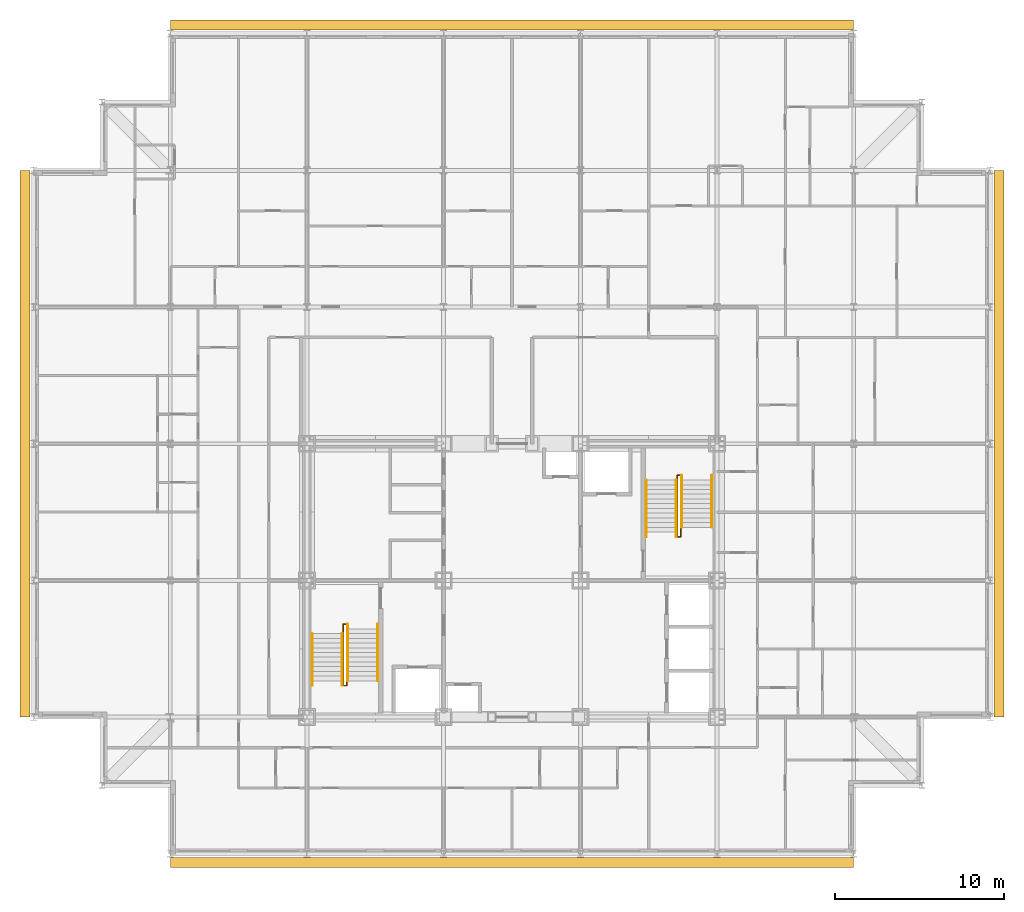
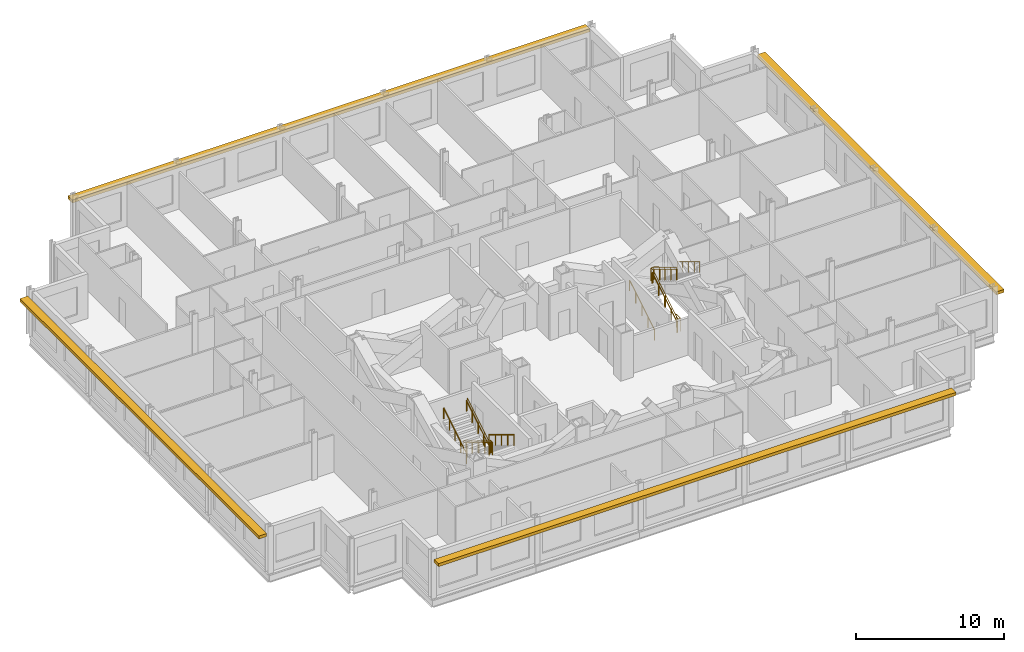
# One storey, part 15 of 15: 10 railings, 4 shading devices.
"""IFC4 building model written with IfcOpenShell, lengths in metres."""

import ifcopenshell
import ifcopenshell.guid

model = None  # the IFC model being written
_history = None  # IfcOwnerHistory: only IFC2X3 demands one
_inside = {}  # id of a spatial element -> (the spatial element, [elements in it])
_under = {}  # id of a project, library or spatial element -> (it, [spatial elements below it])
_declared = {}  # id of a project -> (the project, [libraries it declares])
_typed = {}  # id of a type object -> (the type object, [elements of that type])
_made_of = {}  # id of a material, layer set ... -> (it, [elements and type objects made of it])


def new_model(schema):
    """Start an empty IFC model of exactly this schema.

    Asked for "IFC4X3", IfcOpenShell would pick the latest addendum, in which some entities
    have other attributes; the version numbers below select the first issue.
    IFC2X3 requires an IfcOwnerHistory on every rooted entity: one is made here for all.
    """
    global model, _history
    if schema == "IFC4X3":
        model = ifcopenshell.file(schema_version=(4, 3, 0, 0))
    else:
        model = ifcopenshell.file(schema=schema)
    _inside.clear()
    _under.clear()
    _declared.clear()
    _typed.clear()
    _made_of.clear()
    _history = None
    if model.schema == "IFC2X3":
        org = make("IfcOrganization", Name="unknown")
        user = make(
            "IfcPersonAndOrganization",
            ThePerson=make("IfcPerson", FamilyName="unknown"),
            TheOrganization=org,
        )
        app = make(
            "IfcApplication",
            ApplicationDeveloper=org,
            Version="unknown",
            ApplicationFullName="unknown",
            ApplicationIdentifier="unknown",
        )
        _history = make(
            "IfcOwnerHistory",
            OwningUser=user,
            OwningApplication=app,
            ChangeAction="ADDED",
            CreationDate=0,
        )
    return model


def make(cls, **values):
    """One entity of the class cls with the attributes given. An attribute that is None is left unset."""
    return model.create_entity(
        cls, **{name: value for name, value in values.items() if value is not None}
    )


def rooted(cls, **values):
    """An entity with a GlobalId (a new one), such as an element, a storey or a relation."""
    return make(cls, GlobalId=ifcopenshell.guid.new(), OwnerHistory=_history, **values)


def si_unit(unit_type, name, prefix=None):
    """IfcSIUnit, for example si_unit("LENGTHUNIT", "METRE", prefix="MILLI")."""
    return make("IfcSIUnit", UnitType=unit_type, Prefix=prefix, Name=name)


def assignment(units):
    """IfcUnitAssignment: the units of a project."""
    return None if units is None else make("IfcUnitAssignment", Units=units)


def point(xyz):
    """IfcCartesianPoint."""
    return None if xyz is None else make("IfcCartesianPoint", Coordinates=xyz)


def direction(xyz):
    """IfcDirection."""
    return None if xyz is None else make("IfcDirection", DirectionRatios=xyz)


def frame(location, z_axis=None, x_axis=None):
    """IfcAxis2Placement3D, a coordinate frame: its origin and axes. An axis left out is left unset."""
    return make(
        "IfcAxis2Placement3D",
        Location=point(location),
        Axis=direction(z_axis),
        RefDirection=direction(x_axis),
    )


def frame_2d(location, x_axis=None):
    """IfcAxis2Placement2D, a coordinate frame in the plane: its origin and x axis."""
    return make(
        "IfcAxis2Placement2D", Location=point(location), RefDirection=direction(x_axis)
    )


def origin():
    """The frame at (0, 0, 0) with its axes left unset."""
    return frame((0.0, 0.0, 0.0))


def origin_2d():
    """The frame at (0, 0) in the plane with its x axis left unset."""
    return frame_2d((0.0, 0.0))


def place(relative_to, where):
    """IfcLocalPlacement: puts the frame where relative to a parent placement (None: the world)."""
    return make(
        "IfcLocalPlacement", PlacementRelTo=relative_to, RelativePlacement=where
    )


def context(
    kind, dimensions, precision=None, world=None, true_north=None, identifier=None
):
    """IfcGeometricRepresentationContext, for example the 3D "Model" context."""
    return make(
        "IfcGeometricRepresentationContext",
        ContextIdentifier=identifier,
        ContextType=kind,
        CoordinateSpaceDimension=dimensions,
        Precision=precision,
        WorldCoordinateSystem=world,
        TrueNorth=true_north,
    )


def subcontext(parent, identifier, kind, view, scale=None):
    """IfcGeometricRepresentationSubContext, for example "Body" below "Model"."""
    return make(
        "IfcGeometricRepresentationSubContext",
        ContextIdentifier=identifier,
        ContextType=kind,
        ParentContext=parent,
        TargetScale=scale,
        TargetView=view,
    )


def project(units=None, contexts=None):
    """IfcProject with its units and contexts."""
    return rooted(
        "IfcProject",
        Name="project",
        RepresentationContexts=contexts,
        UnitsInContext=assignment(units),
    )


def spatial(cls, under=None, at=None, **own):
    """A site, building, storey or space (cls), placed at a placement, below another one or the project."""
    s = rooted(cls, ObjectPlacement=at, **own)
    if under is not None:
        _under.setdefault(under.id(), (under, []))[1].append(s)
    return s


def profile(cls, at=None, kind="AREA", **sizes):
    """A parametric profile (cls). Its sizes go by their IFC names, for example OverallWidth=200.0."""
    return make(cls, ProfileType=kind, Position=at, **sizes)


def rectangle(**sizes):
    """IfcRectangleProfileDef."""
    return profile("IfcRectangleProfileDef", **sizes)


def circle(**sizes):
    """IfcCircleProfileDef."""
    return profile("IfcCircleProfileDef", **sizes)


def extrude(swept, where, along, depth):
    """IfcExtrudedAreaSolid: the profile swept, set in the frame where, extruded along a direction by depth."""
    return make(
        "IfcExtrudedAreaSolid",
        SweptArea=swept,
        Position=where,
        ExtrudedDirection=direction(along),
        Depth=depth,
    )


def shape(context_of_items, identifier, shape_type, items):
    """IfcShapeRepresentation: the items that make up one representation, for example the "Body"."""
    return make(
        "IfcShapeRepresentation",
        ContextOfItems=context_of_items,
        RepresentationIdentifier=identifier,
        RepresentationType=shape_type,
        Items=items,
    )


def material(Name=None, Category=None):
    """IfcMaterial."""
    return make("IfcMaterial", Name=Name, Category=Category)


def made_of(thing, what):
    """Note that an element or type object is made of a material, layer set ...; save() writes the relation."""
    if what is not None:
        _made_of.setdefault(what.id(), (what, []))[1].append(thing)
    return thing


def type_object(cls, material=None, **own):
    """A type object (cls), such as IfcWallType, which elements share."""
    return made_of(rooted(cls, **own), material)


def element(
    cls,
    number,
    at=None,
    inside=None,
    cuts=None,
    type_object=None,
    material=None,
    context=None,
    identifier="Body",
    shape_type=None,
    held_by="IfcProductDefinitionShape",
    body=None,
    shapes=None,
    **own,
):
    """One element of the class cls, such as IfcWall. Its Tag is "e" and its number.

    at: its placement. inside: the storey or other place that contains it. cuts: it is an
    opening in that element (IfcRelVoidsElement). A single representation is given by context,
    identifier, shape_type and body (its items); several are given by shapes. held_by: the class
    of the entity that holds the representations. save() writes the other relations.
    """
    e = rooted(cls, Tag="e%d" % number, ObjectPlacement=at, **own)
    if body is not None:
        shapes = [shape(context, identifier, shape_type, body)]
    if shapes is not None:
        e.Representation = make(held_by, Representations=shapes)
    if inside is not None:
        _inside.setdefault(inside.id(), (inside, []))[1].append(e)
    if cuts is not None:
        rooted(
            "IfcRelVoidsElement", RelatingBuildingElement=cuts, RelatedOpeningElement=e
        )
    if type_object is not None:
        _typed.setdefault(type_object.id(), (type_object, []))[1].append(e)
    return made_of(e, material)


def aggregate(whole, parts):
    """IfcRelAggregates: a whole, such as a stair, and the parts it consists of."""
    return rooted("IfcRelAggregates", RelatingObject=whole, RelatedObjects=parts)


def save(model, path):
    """Write the relations noted so far, then the file.

    IfcRelAggregates (storeys below a building ...), IfcRelContainedInSpatialStructure (elements
    in a storey), IfcRelDefinesByType, IfcRelAssociatesMaterial and IfcRelDeclares: one each for
    every whole, place, type object, material and project.
    """
    for whole, parts in _under.values():
        aggregate(whole, parts)
    for where, things in _inside.values():
        rooted(
            "IfcRelContainedInSpatialStructure",
            RelatedElements=things,
            RelatingStructure=where,
        )
    for kind, things in _typed.values():
        rooted("IfcRelDefinesByType", RelatedObjects=things, RelatingType=kind)
    for what, things in _made_of.values():
        rooted("IfcRelAssociatesMaterial", RelatedObjects=things, RelatingMaterial=what)
    for by, libraries in _declared.values():
        rooted("IfcRelDeclares", RelatingContext=by, RelatedDefinitions=libraries)
    model.write(path)


model = new_model("IFC4")

# Units and contexts
model_context = context("Model", 3, precision=1e-05, world=origin(), true_north=direction((0.0, 1.0)))
body_context = subcontext(model_context, "Body", "Model", "MODEL_VIEW")
ifc_project = project(units=[si_unit("LENGTHUNIT", "METRE"), si_unit("AREAUNIT", "SQUARE_METRE"), si_unit("VOLUMEUNIT", "CUBIC_METRE"), si_unit("PLANEANGLEUNIT", "RADIAN"), si_unit("MASSUNIT", "GRAM", prefix="KILO")], contexts=[model_context])

# Site, building, storey
site_placement = place(None, origin())
site = spatial("IfcSite", under=ifc_project, at=site_placement, CompositionType="ELEMENT")
building_placement = place(site_placement, origin())
building = spatial("IfcBuilding", under=site, at=building_placement, Name="Kopane Lantern Tower", CompositionType="ELEMENT")
storey_placement = place(building_placement, frame((0.0, 0.0, 281.39990234375)))
storey = spatial("IfcBuildingStorey", under=building, at=storey_placement, Name="L72", CompositionType="ELEMENT", Elevation=281.39990234375)

# Railings
ifc_material_1 = material(Name="Steel", Category="steel")
railing_type_1 = type_object("IfcRailingType", Name="STAIR GUARD 1100", PredefinedType="GUARDRAIL", material=ifc_material_1)
railing_1_placement = place(storey_placement, frame((18.35009765625, 29.25, 0.0)))
element("IfcRailing", 1, at=railing_1_placement, inside=storey, type_object=railing_type_1, Name="ST1 well guard L72", PredefinedType="GUARDRAIL", context=body_context, shape_type="SweptSolid", body=[
    extrude(circle(Radius=0.02392578125, at=origin_2d()), frame((0.0, 0.0, 1.076171875), z_axis=(0.0, 1.0, 0.0), x_axis=(-1.0, 0.0, 0.0)), (0.0, 0.0, 1.0), 0.56005859375),
    extrude(circle(Radius=0.02392578125, at=origin_2d()), frame((0.0, 0.56005859375, 1.076171875), z_axis=(1.0, 0.0, 0.0), x_axis=(0.0, 1.0, 0.0)), (0.0, 0.0, 1.0), 0.199951171875),
    extrude(circle(Radius=0.02392578125, at=origin_2d()), frame((0.199951171875, 0.56005859375, 1.076171875), z_axis=(0.0, -0.855368916264, 0.518019321155), x_axis=(1.0, 0.0, 0.0)), (0.0, 0.0, 1.0), 3.92822265625),
    extrude(circle(Radius=0.02392578125, at=origin_2d()), frame((0.199951171875, -2.800048828125, 3.11083984375), z_axis=(0.0, -1.0, 0.0), x_axis=(1.0, 0.0, 0.0)), (0.0, 0.0, 1.0), 0.280029296875),
    extrude(circle(Radius=0.02392578125, at=origin_2d()), frame((0.199951171875, -3.080078125, 3.11083984375), z_axis=(-1.0, 0.0, 0.0), x_axis=(0.0, -1.0, 0.0)), (0.0, 0.0, 1.0), 0.199951171875),
    extrude(circle(Radius=0.02392578125, at=origin_2d()), frame((0.0, -3.080078125, 3.11083984375), z_axis=(0.0, 0.855379917629, 0.518001154937), x_axis=(-1.0, 0.0, 0.0)), (0.0, 0.0, 1.0), 3.600830078125),
    extrude(circle(Radius=0.02099609375, at=origin_2d()), origin(), (0.0, 0.0, 1.0), 1.052001953125),
    extrude(circle(Radius=0.02099609375, at=origin_2d()), frame((0.0, 0.56005859375, 0.0)), (0.0, 0.0, 1.0), 1.052001953125),
    extrude(circle(Radius=0.02099609375, at=origin_2d()), frame((0.199951171875, 0.56005859375, 0.0)), (0.0, 0.0, 1.0), 1.052001953125),
    extrude(circle(Radius=0.02099609375, at=origin_2d()), frame((0.199951171875, -0.280029296875, 0.5087890625)), (0.0, 0.0, 1.0), 1.052001953125),
    extrude(circle(Radius=0.02099609375, at=origin_2d()), frame((0.199951171875, -1.1201171875, 1.017578125)), (0.0, 0.0, 1.0), 1.052001953125),
    extrude(circle(Radius=0.02099609375, at=origin_2d()), frame((0.199951171875, -1.9599609375, 1.526123046875)), (0.0, 0.0, 1.0), 1.052001953125),
    extrude(circle(Radius=0.02099609375, at=origin_2d()), frame((0.199951171875, -2.800048828125, 2.034912109375)), (0.0, 0.0, 1.0), 1.052001953125),
    extrude(circle(Radius=0.02099609375, at=origin_2d()), frame((0.199951171875, -3.080078125, 2.034912109375)), (0.0, 0.0, 1.0), 1.052001953125),
    extrude(circle(Radius=0.02099609375, at=origin_2d()), frame((0.0, -3.080078125, 2.034912109375)), (0.0, 0.0, 1.0), 1.052001953125),
    extrude(circle(Radius=0.02099609375, at=origin_2d()), frame((0.0, -2.31005859375, 2.501220703125)), (0.0, 0.0, 1.0), 1.052001953125),
    extrude(circle(Radius=0.02099609375, at=origin_2d()), frame((0.0, -1.5400390625, 2.967529296875)), (0.0, 0.0, 1.0), 1.052001953125),
    extrude(circle(Radius=0.02099609375, at=origin_2d()), frame((0.0, -0.77001953125, 3.433837890625)), (0.0, 0.0, 1.0), 1.052001953125),
    extrude(circle(Radius=0.02099609375, at=origin_2d()), frame((0.0, 0.0, 3.900146484375)), (0.0, 0.0, 1.0), 1.052001953125),
])
railing_2_placement = place(storey_placement, frame((38.35009765625, 35.550048828125, 0.0)))
element("IfcRailing", 2, at=railing_2_placement, inside=storey, type_object=railing_type_1, Name="ST2 well guard L72", PredefinedType="GUARDRAIL", context=body_context, shape_type="SweptSolid", body=[
    extrude(circle(Radius=0.02392578125, at=origin_2d()), frame((0.0, 0.0, 1.076171875), z_axis=(0.0, -1.0, 0.0), x_axis=(1.0, 0.0, 0.0)), (0.0, 0.0, 1.0), 0.56005859375),
    extrude(circle(Radius=0.02392578125, at=origin_2d()), frame((0.0, -0.56005859375, 1.076171875), z_axis=(-1.0, 0.0, 0.0), x_axis=(0.0, -1.0, 0.0)), (0.0, 0.0, 1.0), 0.2001953125),
    extrude(circle(Radius=0.02392578125, at=origin_2d()), frame((-0.2001953125, -0.56005859375, 1.076171875), z_axis=(0.0, 0.855368916264, 0.518019321155), x_axis=(-1.0, 0.0, 0.0)), (0.0, 0.0, 1.0), 3.92822265625),
    extrude(circle(Radius=0.02392578125, at=origin_2d()), frame((-0.2001953125, 2.800048828125, 3.11083984375), z_axis=(0.0, 1.0, 0.0), x_axis=(-1.0, 0.0, 0.0)), (0.0, 0.0, 1.0), 0.27978515625),
    extrude(circle(Radius=0.02392578125, at=origin_2d()), frame((-0.2001953125, 3.079833984375, 3.11083984375), z_axis=(1.0, 0.0, 0.0), x_axis=(0.0, 1.0, 0.0)), (0.0, 0.0, 1.0), 0.2001953125),
    extrude(circle(Radius=0.02392578125, at=origin_2d()), frame((0.0, 3.079833984375, 3.11083984375), z_axis=(0.0, -0.855361723277, 0.518031198243), x_axis=(1.0, 0.0, 0.0)), (0.0, 0.0, 1.0), 3.6005859375),
    extrude(circle(Radius=0.02099609375, at=origin_2d()), origin(), (0.0, 0.0, 1.0), 1.052001953125),
    extrude(circle(Radius=0.02099609375, at=origin_2d()), frame((0.0, -0.56005859375, 0.0)), (0.0, 0.0, 1.0), 1.052001953125),
    extrude(circle(Radius=0.02099609375, at=origin_2d()), frame((-0.2001953125, -0.56005859375, 0.0)), (0.0, 0.0, 1.0), 1.052001953125),
    extrude(circle(Radius=0.02099609375, at=origin_2d()), frame((-0.2001953125, 0.280029296875, 0.5087890625)), (0.0, 0.0, 1.0), 1.052001953125),
    extrude(circle(Radius=0.02099609375, at=origin_2d()), frame((-0.2001953125, 1.1201171875, 1.017578125)), (0.0, 0.0, 1.0), 1.052001953125),
    extrude(circle(Radius=0.02099609375, at=origin_2d()), frame((-0.2001953125, 1.9599609375, 1.526123046875)), (0.0, 0.0, 1.0), 1.052001953125),
    extrude(circle(Radius=0.02099609375, at=origin_2d()), frame((-0.2001953125, 2.800048828125, 2.034912109375)), (0.0, 0.0, 1.0), 1.052001953125),
    extrude(circle(Radius=0.02099609375, at=origin_2d()), frame((-0.2001953125, 3.079833984375, 2.034912109375)), (0.0, 0.0, 1.0), 1.052001953125),
    extrude(circle(Radius=0.02099609375, at=origin_2d()), frame((0.0, 3.079833984375, 2.034912109375)), (0.0, 0.0, 1.0), 1.052001953125),
    extrude(circle(Radius=0.02099609375, at=origin_2d()), frame((0.0, 2.309814453125, 2.501220703125)), (0.0, 0.0, 1.0), 1.052001953125),
    extrude(circle(Radius=0.02099609375, at=origin_2d()), frame((0.0, 1.5400390625, 2.967529296875)), (0.0, 0.0, 1.0), 1.052001953125),
    extrude(circle(Radius=0.02099609375, at=origin_2d()), frame((0.0, 0.77001953125, 3.433837890625)), (0.0, 0.0, 1.0), 1.052001953125),
    extrude(circle(Radius=0.02099609375, at=origin_2d()), frame((0.0, 0.0, 3.900146484375)), (0.0, 0.0, 1.0), 1.052001953125),
])
ifc_material_2 = material(Name="Steel", Category="steel")
railing_type_2 = type_object("IfcRailingType", Name="STAIR HANDRAIL 900", PredefinedType="HANDRAIL", material=ifc_material_2)
for number, where, name in (
    (3, (20.389892578125, 29.81005859375, 0.0), "ST1 handrail L72 flight 1"),
    (4, (18.610107421875, 29.81005859375, 0.0), "ST1 handrail L72 flight 1"),
):
    element("IfcRailing", number, at=place(storey_placement, frame(where)), inside=storey, type_object=railing_type_2, Name=name, PredefinedType="HANDRAIL", context=body_context, shape_type="SweptSolid", body=[
        extrude(circle(Radius=0.02392578125, at=origin_2d()), frame((0.0, 0.0, 0.8759765625), z_axis=(0.0, -0.855368916264, 0.518019321155), x_axis=(1.0, 0.0, 0.0)), (0.0, 0.0, 1.0), 3.92822265625),
        extrude(circle(Radius=0.02099609375, at=origin_2d()), origin(), (0.0, 0.0, 1.0), 0.851806640625),
        extrude(circle(Radius=0.02099609375, at=origin_2d()), frame((0.0, -0.840087890625, 0.5087890625)), (0.0, 0.0, 1.0), 0.851806640625),
        extrude(circle(Radius=0.02099609375, at=origin_2d()), frame((0.0, -1.68017578125, 1.017578125)), (0.0, 0.0, 1.0), 0.851806640625),
        extrude(circle(Radius=0.02099609375, at=origin_2d()), frame((0.0, -2.52001953125, 1.526123046875)), (0.0, 0.0, 1.0), 0.851806640625),
        extrude(circle(Radius=0.02099609375, at=origin_2d()), frame((0.0, -3.360107421875, 2.034912109375)), (0.0, 0.0, 1.0), 0.851806640625),
    ])
for number, where, name in (
    (5, (16.510009765625, 26.169921875, 2.034912109375), "ST1 handrail L72 flight 2"),
    (6, (18.2900390625, 26.169921875, 2.034912109375), "ST1 handrail L72 flight 2"),
):
    element("IfcRailing", number, at=place(storey_placement, frame(where)), inside=storey, type_object=railing_type_2, Name=name, PredefinedType="HANDRAIL", context=body_context, shape_type="SweptSolid", body=[
        extrude(circle(Radius=0.02392578125, at=origin_2d()), frame((0.0, 0.0, 0.8759765625), z_axis=(0.0, 0.855379917629, 0.518001154937), x_axis=(-1.0, 0.0, 0.0)), (0.0, 0.0, 1.0), 3.600830078125),
        extrude(circle(Radius=0.02099609375, at=origin_2d()), origin(), (0.0, 0.0, 1.0), 0.851806640625),
        extrude(circle(Radius=0.02099609375, at=origin_2d()), frame((0.0, 0.77001953125, 0.46630859375)), (0.0, 0.0, 1.0), 0.851806640625),
        extrude(circle(Radius=0.02099609375, at=origin_2d()), frame((0.0, 1.5400390625, 0.9326171875)), (0.0, 0.0, 1.0), 0.851806640625),
        extrude(circle(Radius=0.02099609375, at=origin_2d()), frame((0.0, 2.31005859375, 1.39892578125)), (0.0, 0.0, 1.0), 0.851806640625),
        extrude(circle(Radius=0.02099609375, at=origin_2d()), frame((0.0, 3.080078125, 1.865234375)), (0.0, 0.0, 1.0), 0.851806640625),
    ])
for number, where, name in (
    (7, (36.31005859375, 34.989990234375, 0.0), "ST2 handrail L72 flight 1"),
    (8, (38.090087890625, 34.989990234375, 0.0), "ST2 handrail L72 flight 1"),
):
    element("IfcRailing", number, at=place(storey_placement, frame(where)), inside=storey, type_object=railing_type_2, Name=name, PredefinedType="HANDRAIL", context=body_context, shape_type="SweptSolid", body=[
        extrude(circle(Radius=0.02392578125, at=origin_2d()), frame((0.0, 0.0, 0.8759765625), z_axis=(0.0, 0.855368916264, 0.518019321155), x_axis=(-1.0, 0.0, 0.0)), (0.0, 0.0, 1.0), 3.92822265625),
        extrude(circle(Radius=0.02099609375, at=origin_2d()), origin(), (0.0, 0.0, 1.0), 0.851806640625),
        extrude(circle(Radius=0.02099609375, at=origin_2d()), frame((0.0, 0.840087890625, 0.5087890625)), (0.0, 0.0, 1.0), 0.851806640625),
        extrude(circle(Radius=0.02099609375, at=origin_2d()), frame((0.0, 1.68017578125, 1.017578125)), (0.0, 0.0, 1.0), 0.851806640625),
        extrude(circle(Radius=0.02099609375, at=origin_2d()), frame((0.0, 2.52001953125, 1.526123046875)), (0.0, 0.0, 1.0), 0.851806640625),
        extrude(circle(Radius=0.02099609375, at=origin_2d()), frame((0.0, 3.360107421875, 2.034912109375)), (0.0, 0.0, 1.0), 0.851806640625),
    ])
for number, where, name in (
    (9, (40.18994140625, 38.6298828125, 2.034912109375), "ST2 handrail L72 flight 2"),
    (10, (38.409912109375, 38.6298828125, 2.034912109375), "ST2 handrail L72 flight 2"),
):
    element("IfcRailing", number, at=place(storey_placement, frame(where)), inside=storey, type_object=railing_type_2, Name=name, PredefinedType="HANDRAIL", context=body_context, shape_type="SweptSolid", body=[
        extrude(circle(Radius=0.02392578125, at=origin_2d()), frame((0.0, 0.0, 0.8759765625), z_axis=(0.0, -0.855361723277, 0.518031198243), x_axis=(1.0, 0.0, 0.0)), (0.0, 0.0, 1.0), 3.6005859375),
        extrude(circle(Radius=0.02099609375, at=origin_2d()), origin(), (0.0, 0.0, 1.0), 0.851806640625),
        extrude(circle(Radius=0.02099609375, at=origin_2d()), frame((0.0, -0.77001953125, 0.46630859375)), (0.0, 0.0, 1.0), 0.851806640625),
        extrude(circle(Radius=0.02099609375, at=origin_2d()), frame((0.0, -1.5400390625, 0.9326171875)), (0.0, 0.0, 1.0), 0.851806640625),
        extrude(circle(Radius=0.02099609375, at=origin_2d()), frame((0.0, -2.309814453125, 1.39892578125)), (0.0, 0.0, 1.0), 0.851806640625),
        extrude(circle(Radius=0.02099609375, at=origin_2d()), frame((0.0, -3.079833984375, 1.865234375)), (0.0, 0.0, 1.0), 0.851806640625),
    ])

# Shading devices
ifc_material_3 = material(Name="Terracotta rainscreen on light steel framing", Category="masonry")
shading_device_type = type_object("IfcShadingDeviceType", Name="SUNSHADE BAND SB1 600 TERRACOTTA", PredefinedType="USERDEFINED", material=ifc_material_3)
shading_device_1_placement = place(storey_placement, frame((28.35009765625, 15.6904296875, 3.0), z_axis=(0.0, 0.0, 1.0), x_axis=(1.0, 0.0, 0.0)))
element("IfcShadingDevice", 11, at=shading_device_1_placement, inside=storey, type_object=shading_device_type, Name="Sunshade band S L72", ObjectType="SUNSHADE BAND", PredefinedType="USERDEFINED", context=body_context, shape_type="SweptSolid", body=[
    extrude(rectangle(XDim=40.5, YDim=0.60009765625, at=origin_2d()), origin(), (0.0, 0.0, 1.0), 0.25),
])
shading_device_2_placement = place(storey_placement, frame((57.20361328125, 40.5, 3.0), z_axis=(0.0, 0.0, 1.0), x_axis=(0.0, 1.0, 0.0)))
element("IfcShadingDevice", 12, at=shading_device_2_placement, inside=storey, type_object=shading_device_type, Name="Sunshade band E L72", ObjectType="SUNSHADE BAND", PredefinedType="USERDEFINED", context=body_context, shape_type="SweptSolid", body=[
    extrude(rectangle(XDim=32.39990234375, YDim=0.60009765625, at=origin_2d()), origin(), (0.0, 0.0, 1.0), 0.25),
])
shading_device_3_placement = place(storey_placement, frame((28.35009765625, 65.3095703125, 3.0), z_axis=(0.0, 0.0, 1.0), x_axis=(-1.0, 0.0, 0.0)))
element("IfcShadingDevice", 13, at=shading_device_3_placement, inside=storey, type_object=shading_device_type, Name="Sunshade band N L72", ObjectType="SUNSHADE BAND", PredefinedType="USERDEFINED", context=body_context, shape_type="SweptSolid", body=[
    extrude(rectangle(XDim=40.5, YDim=0.60009765625, at=origin_2d()), origin(), (0.0, 0.0, 1.0), 0.25),
])
shading_device_4_placement = place(storey_placement, frame((-0.50341796875, 40.5, 3.0), z_axis=(0.0, 0.0, 1.0), x_axis=(0.0, -1.0, 0.0)))
element("IfcShadingDevice", 14, at=shading_device_4_placement, inside=storey, type_object=shading_device_type, Name="Sunshade band W L72", ObjectType="SUNSHADE BAND", PredefinedType="USERDEFINED", context=body_context, shape_type="SweptSolid", body=[
    extrude(rectangle(XDim=32.39990234375, YDim=0.60009765625, at=origin_2d()), origin(), (0.0, 0.0, 1.0), 0.25),
])

save(model, "model.ifc")
